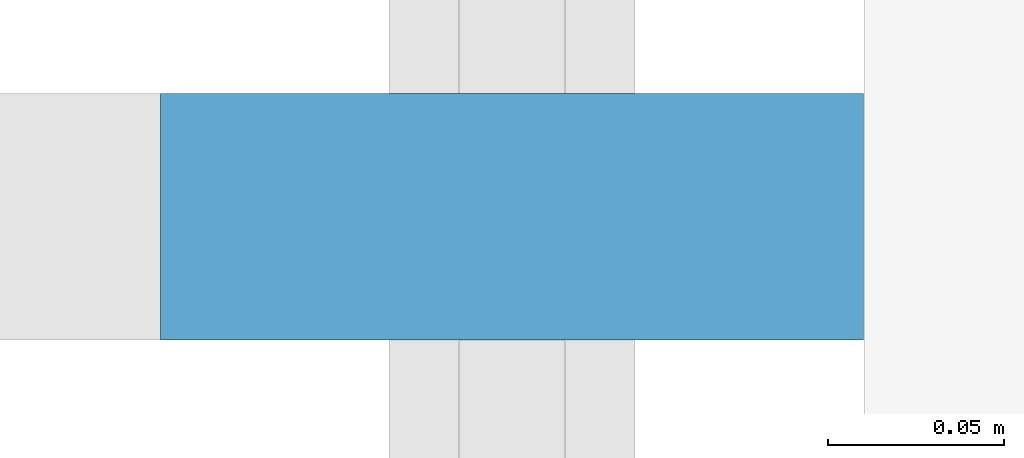
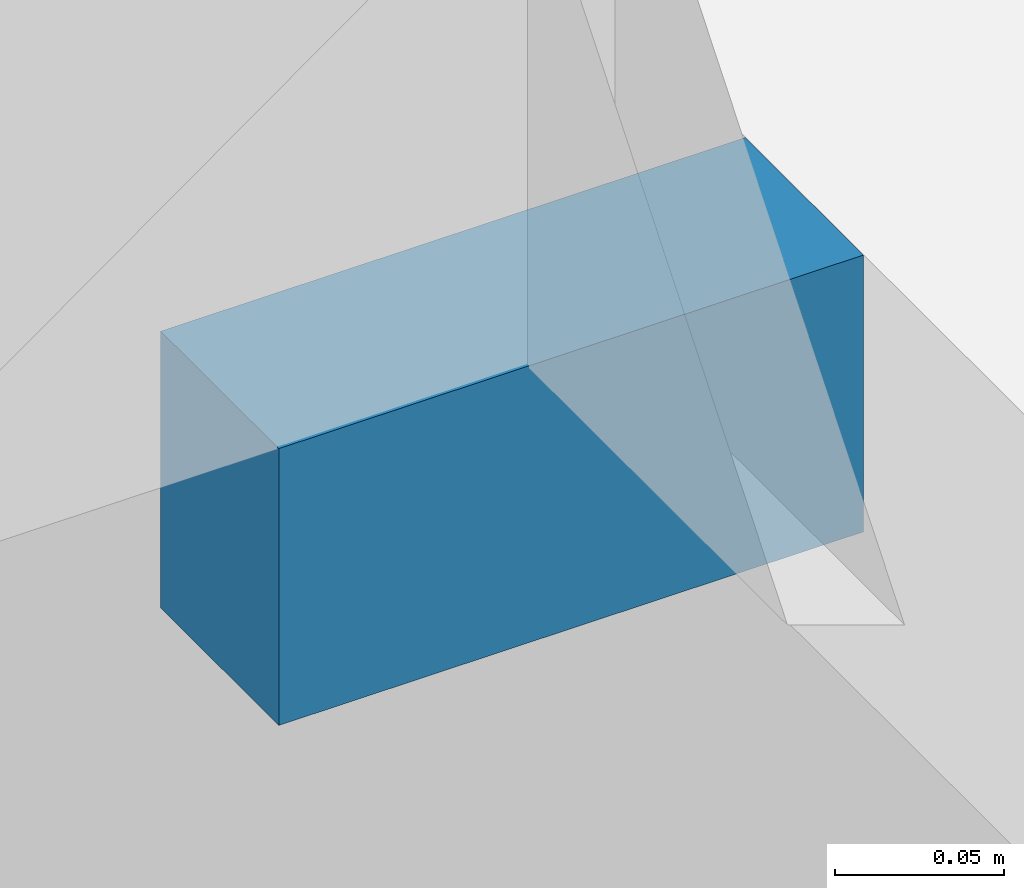
# One storey, part 12 of 16: 1 discrete accessory.
"""IFC4 building model written with IfcOpenShell, lengths in metres."""

import ifcopenshell
import ifcopenshell.guid

model = None  # the IFC model being written
_history = None  # IfcOwnerHistory: only IFC2X3 demands one
_inside = {}  # id of a spatial element -> (the spatial element, [elements in it])
_under = {}  # id of a project, library or spatial element -> (it, [spatial elements below it])
_declared = {}  # id of a project -> (the project, [libraries it declares])
_typed = {}  # id of a type object -> (the type object, [elements of that type])
_made_of = {}  # id of a material, layer set ... -> (it, [elements and type objects made of it])


def new_model(schema):
    """Start an empty IFC model of exactly this schema.

    Asked for "IFC4X3", IfcOpenShell would pick the latest addendum, in which some entities
    have other attributes; the version numbers below select the first issue.
    IFC2X3 requires an IfcOwnerHistory on every rooted entity: one is made here for all.
    """
    global model, _history
    if schema == "IFC4X3":
        model = ifcopenshell.file(schema_version=(4, 3, 0, 0))
    else:
        model = ifcopenshell.file(schema=schema)
    _inside.clear()
    _under.clear()
    _declared.clear()
    _typed.clear()
    _made_of.clear()
    _history = None
    if model.schema == "IFC2X3":
        org = make("IfcOrganization", Name="unknown")
        user = make(
            "IfcPersonAndOrganization",
            ThePerson=make("IfcPerson", FamilyName="unknown"),
            TheOrganization=org,
        )
        app = make(
            "IfcApplication",
            ApplicationDeveloper=org,
            Version="unknown",
            ApplicationFullName="unknown",
            ApplicationIdentifier="unknown",
        )
        _history = make(
            "IfcOwnerHistory",
            OwningUser=user,
            OwningApplication=app,
            ChangeAction="ADDED",
            CreationDate=0,
        )
    return model


def make(cls, **values):
    """One entity of the class cls with the attributes given. An attribute that is None is left unset."""
    return model.create_entity(
        cls, **{name: value for name, value in values.items() if value is not None}
    )


def rooted(cls, **values):
    """An entity with a GlobalId (a new one), such as an element, a storey or a relation."""
    return make(cls, GlobalId=ifcopenshell.guid.new(), OwnerHistory=_history, **values)


def si_unit(unit_type, name, prefix=None):
    """IfcSIUnit, for example si_unit("LENGTHUNIT", "METRE", prefix="MILLI")."""
    return make("IfcSIUnit", UnitType=unit_type, Prefix=prefix, Name=name)


def assignment(units):
    """IfcUnitAssignment: the units of a project."""
    return None if units is None else make("IfcUnitAssignment", Units=units)


def point(xyz):
    """IfcCartesianPoint."""
    return None if xyz is None else make("IfcCartesianPoint", Coordinates=xyz)


def direction(xyz):
    """IfcDirection."""
    return None if xyz is None else make("IfcDirection", DirectionRatios=xyz)


def frame(location, z_axis=None, x_axis=None):
    """IfcAxis2Placement3D, a coordinate frame: its origin and axes. An axis left out is left unset."""
    return make(
        "IfcAxis2Placement3D",
        Location=point(location),
        Axis=direction(z_axis),
        RefDirection=direction(x_axis),
    )


def frame_2d(location, x_axis=None):
    """IfcAxis2Placement2D, a coordinate frame in the plane: its origin and x axis."""
    return make(
        "IfcAxis2Placement2D", Location=point(location), RefDirection=direction(x_axis)
    )


def origin():
    """The frame at (0, 0, 0) with its axes left unset."""
    return frame((0.0, 0.0, 0.0))


def origin_2d():
    """The frame at (0, 0) in the plane with its x axis left unset."""
    return frame_2d((0.0, 0.0))


def place(relative_to, where):
    """IfcLocalPlacement: puts the frame where relative to a parent placement (None: the world)."""
    return make(
        "IfcLocalPlacement", PlacementRelTo=relative_to, RelativePlacement=where
    )


def context(
    kind, dimensions, precision=None, world=None, true_north=None, identifier=None
):
    """IfcGeometricRepresentationContext, for example the 3D "Model" context."""
    return make(
        "IfcGeometricRepresentationContext",
        ContextIdentifier=identifier,
        ContextType=kind,
        CoordinateSpaceDimension=dimensions,
        Precision=precision,
        WorldCoordinateSystem=world,
        TrueNorth=true_north,
    )


def subcontext(parent, identifier, kind, view, scale=None):
    """IfcGeometricRepresentationSubContext, for example "Body" below "Model"."""
    return make(
        "IfcGeometricRepresentationSubContext",
        ContextIdentifier=identifier,
        ContextType=kind,
        ParentContext=parent,
        TargetScale=scale,
        TargetView=view,
    )


def project(units=None, contexts=None):
    """IfcProject with its units and contexts."""
    return rooted(
        "IfcProject",
        Name="project",
        RepresentationContexts=contexts,
        UnitsInContext=assignment(units),
    )


def spatial(cls, under=None, at=None, **own):
    """A site, building, storey or space (cls), placed at a placement, below another one or the project."""
    s = rooted(cls, ObjectPlacement=at, **own)
    if under is not None:
        _under.setdefault(under.id(), (under, []))[1].append(s)
    return s


def profile(cls, at=None, kind="AREA", **sizes):
    """A parametric profile (cls). Its sizes go by their IFC names, for example OverallWidth=200.0."""
    return make(cls, ProfileType=kind, Position=at, **sizes)


def rectangle(**sizes):
    """IfcRectangleProfileDef."""
    return profile("IfcRectangleProfileDef", **sizes)


def extrude(swept, where, along, depth):
    """IfcExtrudedAreaSolid: the profile swept, set in the frame where, extruded along a direction by depth."""
    return make(
        "IfcExtrudedAreaSolid",
        SweptArea=swept,
        Position=where,
        ExtrudedDirection=direction(along),
        Depth=depth,
    )


def shape(context_of_items, identifier, shape_type, items):
    """IfcShapeRepresentation: the items that make up one representation, for example the "Body"."""
    return make(
        "IfcShapeRepresentation",
        ContextOfItems=context_of_items,
        RepresentationIdentifier=identifier,
        RepresentationType=shape_type,
        Items=items,
    )


def made_of(thing, what):
    """Note that an element or type object is made of a material, layer set ...; save() writes the relation."""
    if what is not None:
        _made_of.setdefault(what.id(), (what, []))[1].append(thing)
    return thing


def element(
    cls,
    number,
    at=None,
    inside=None,
    cuts=None,
    type_object=None,
    material=None,
    context=None,
    identifier="Body",
    shape_type=None,
    held_by="IfcProductDefinitionShape",
    body=None,
    shapes=None,
    **own,
):
    """One element of the class cls, such as IfcWall. Its Tag is "e" and its number.

    at: its placement. inside: the storey or other place that contains it. cuts: it is an
    opening in that element (IfcRelVoidsElement). A single representation is given by context,
    identifier, shape_type and body (its items); several are given by shapes. held_by: the class
    of the entity that holds the representations. save() writes the other relations.
    """
    e = rooted(cls, Tag="e%d" % number, ObjectPlacement=at, **own)
    if body is not None:
        shapes = [shape(context, identifier, shape_type, body)]
    if shapes is not None:
        e.Representation = make(held_by, Representations=shapes)
    if inside is not None:
        _inside.setdefault(inside.id(), (inside, []))[1].append(e)
    if cuts is not None:
        rooted(
            "IfcRelVoidsElement", RelatingBuildingElement=cuts, RelatedOpeningElement=e
        )
    if type_object is not None:
        _typed.setdefault(type_object.id(), (type_object, []))[1].append(e)
    return made_of(e, material)


def aggregate(whole, parts):
    """IfcRelAggregates: a whole, such as a stair, and the parts it consists of."""
    return rooted("IfcRelAggregates", RelatingObject=whole, RelatedObjects=parts)


def save(model, path):
    """Write the relations noted so far, then the file.

    IfcRelAggregates (storeys below a building ...), IfcRelContainedInSpatialStructure (elements
    in a storey), IfcRelDefinesByType, IfcRelAssociatesMaterial and IfcRelDeclares: one each for
    every whole, place, type object, material and project.
    """
    for whole, parts in _under.values():
        aggregate(whole, parts)
    for where, things in _inside.values():
        rooted(
            "IfcRelContainedInSpatialStructure",
            RelatedElements=things,
            RelatingStructure=where,
        )
    for kind, things in _typed.values():
        rooted("IfcRelDefinesByType", RelatedObjects=things, RelatingType=kind)
    for what, things in _made_of.values():
        rooted("IfcRelAssociatesMaterial", RelatedObjects=things, RelatingMaterial=what)
    for by, libraries in _declared.values():
        rooted("IfcRelDeclares", RelatingContext=by, RelatedDefinitions=libraries)
    model.write(path)


model = new_model("IFC4")

# Units and contexts
model_context = context("Model", 3, precision=1e-05, world=origin(), true_north=direction((0.0, 1.0)))
body_context = subcontext(model_context, "Body", "Model", "MODEL_VIEW")
ifc_project = project(units=[si_unit("LENGTHUNIT", "METRE"), si_unit("AREAUNIT", "SQUARE_METRE"), si_unit("VOLUMEUNIT", "CUBIC_METRE"), si_unit("PLANEANGLEUNIT", "RADIAN"), si_unit("MASSUNIT", "GRAM", prefix="KILO")], contexts=[model_context])

# Site, building, storey
site_placement = place(None, origin())
site = spatial("IfcSite", under=ifc_project, at=site_placement, CompositionType="ELEMENT")
building_placement = place(site_placement, origin())
building = spatial("IfcBuilding", under=site, at=building_placement, Name="Daluyong Arena Tower", CompositionType="ELEMENT")
storey_placement = place(building_placement, frame((0.0, 0.0, 198.10009765625)))
storey = spatial("IfcBuildingStorey", under=building, at=storey_placement, Name="L44", CompositionType="ELEMENT", Elevation=198.10009765625)

# Discrete accessory
discrete_accessory_placement = place(storey_placement, frame((34.25, 87.386474609375, -0.10009765625), z_axis=(0.0, 0.0, 1.0), x_axis=(0.0, -1.0, 0.0)))
element("IfcDiscreteAccessory", 1, at=discrete_accessory_placement, inside=storey, Name="curtain wall L44 W anchor bracket 4", PredefinedType="BRACKET", context=body_context, shape_type="SweptSolid", body=[
    extrude(rectangle(XDim=0.070068359375, YDim=0.199951171875, at=origin_2d()), origin(), (0.0, 0.0, 1.0), 0.10009765625),
])

save(model, "model.ifc")
